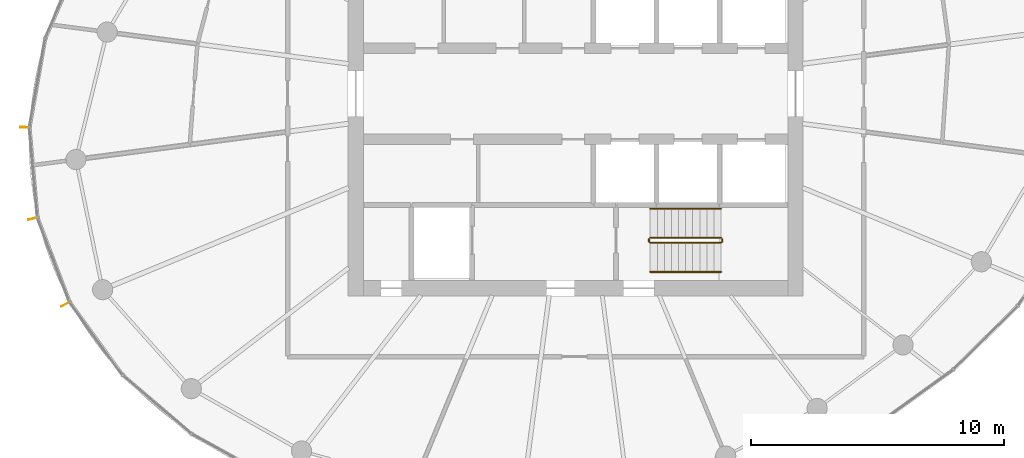
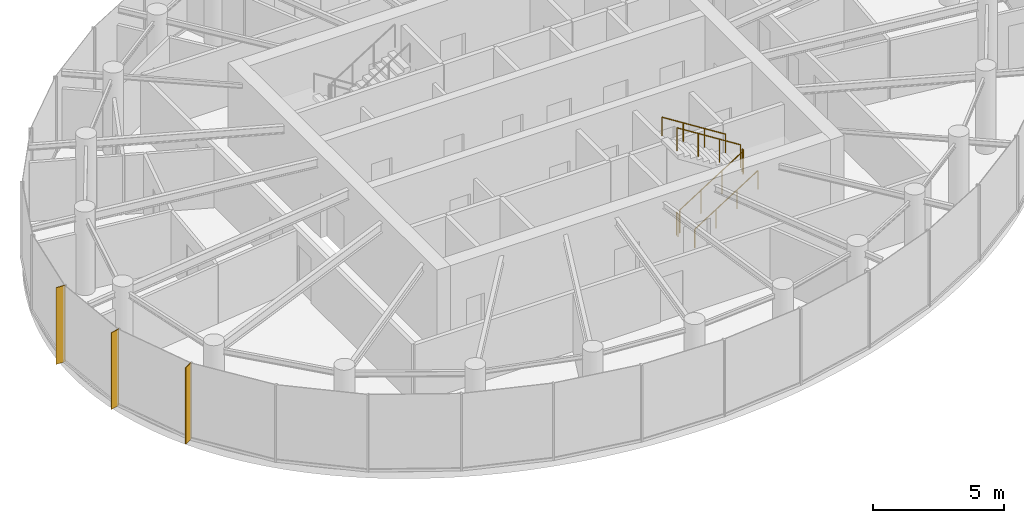
# One storey, part 12 of 13: 6 railings, 3 shading devices.
"""IFC4 building model written with IfcOpenShell, lengths in metres."""

from ifc_helpers import new_model, si_unit, direction, frame, origin, origin_2d, place, context, subcontext, project, spatial, rectangle, circle, extrude, source, transform, mapped, material, material_profile, profile_set, type_object, element, save


model = new_model("IFC4")

# Units and contexts
model_context = context("Model", 3, precision=1e-05, world=origin(), true_north=direction((0.0, 1.0)))
body_context = subcontext(model_context, "Body", "Model", "MODEL_VIEW")
ifc_project = project(units=[si_unit("LENGTHUNIT", "METRE"), si_unit("AREAUNIT", "SQUARE_METRE"), si_unit("VOLUMEUNIT", "CUBIC_METRE"), si_unit("PLANEANGLEUNIT", "RADIAN"), si_unit("MASSUNIT", "GRAM", prefix="KILO")], contexts=[model_context])

# Site, building, storey
site_placement = place(None, origin())
site = spatial("IfcSite", under=ifc_project, at=site_placement, CompositionType="ELEMENT")
building_placement = place(site_placement, origin())
building = spatial("IfcBuilding", under=site, at=building_placement, Name="Spindrift Exchange Tower", CompositionType="ELEMENT")
storey_placement = place(building_placement, frame((0.0, 0.0, 261.800048828125)))
storey = spatial("IfcBuildingStorey", under=building, at=storey_placement, Name="L64", CompositionType="ELEMENT", Elevation=261.800048828125)

# Railings
ifc_material_1 = material(Name="Steel balustrade", Category="steel")
railing_type_1 = type_object("IfcRailingType", Name="RL-STAIR-GUARD", PredefinedType="GUARDRAIL", material=ifc_material_1)
railing_1_placement = place(storey_placement, frame((54.949951171875, 42.10009765625, 0.17724609375)))
element("IfcRailing", 1, at=railing_1_placement, inside=storey, type_object=railing_type_1, Name="L64 ST2 stair guard 1", PredefinedType="GUARDRAIL", context=body_context, shape_type="SweptSolid", body=[
    extrude(circle(Radius=0.02392578125, at=origin_2d()), frame((0.0, 0.0, 1.076171875), z_axis=(0.844908973607, 0.0, 0.534910110503), x_axis=(0.0, 1.0, 0.0)), (0.0, 0.0, 1.0), 3.31396484375),
    extrude(circle(Radius=0.02099609375, at=origin_2d()), origin(), (0.0, 0.0, 1.0), 1.052001953125),
    extrude(circle(Radius=0.02099609375, at=origin_2d()), frame((0.933349609375, 0.0, 0.5908203125)), (0.0, 0.0, 1.0), 1.052001953125),
    extrude(circle(Radius=0.02099609375, at=origin_2d()), frame((1.86669921875, 0.0, 1.181884765625)), (0.0, 0.0, 1.0), 1.052001953125),
    extrude(circle(Radius=0.02099609375, at=origin_2d()), frame((2.800048828125, 0.0, 1.772705078125)), (0.0, 0.0, 1.0), 1.052001953125),
])
railing_2_placement = place(storey_placement, frame((57.800048828125, 42.14990234375, 1.949951171875)))
element("IfcRailing", 2, at=railing_2_placement, inside=storey, type_object=railing_type_1, Name="L64 ST2 stair guard 2", PredefinedType="GUARDRAIL", context=body_context, shape_type="SweptSolid", body=[
    extrude(circle(Radius=0.02392578125, at=origin_2d()), frame((0.0, 0.0, 1.076171875), z_axis=(0.0, 1.0, 0.0), x_axis=(-1.0, 0.0, 0.0)), (0.0, 0.0, 1.0), 0.10009765625),
    extrude(circle(Radius=0.02099609375, at=origin_2d()), origin(), (0.0, 0.0, 1.0), 1.052001953125),
    extrude(circle(Radius=0.02099609375, at=origin_2d()), frame((0.0, 0.10009765625, 0.0)), (0.0, 0.0, 1.0), 1.052001953125),
])
railing_3_placement = place(storey_placement, frame((57.75, 42.300048828125, 2.127197265625)))
element("IfcRailing", 3, at=railing_3_placement, inside=storey, type_object=railing_type_1, Name="L64 ST2 stair guard 3", PredefinedType="GUARDRAIL", context=body_context, shape_type="SweptSolid", body=[
    extrude(circle(Radius=0.02392578125, at=origin_2d()), frame((0.0, 0.0, 1.076171875), z_axis=(-0.844908973607, 0.0, 0.534910110503), x_axis=(0.0, -1.0, 0.0)), (0.0, 0.0, 1.0), 3.31396484375),
    extrude(circle(Radius=0.02099609375, at=origin_2d()), origin(), (0.0, 0.0, 1.0), 1.052001953125),
    extrude(circle(Radius=0.02099609375, at=origin_2d()), frame((-0.933349609375, 0.0, 0.5908203125)), (0.0, 0.0, 1.0), 1.052001953125),
    extrude(circle(Radius=0.02099609375, at=origin_2d()), frame((-1.86669921875, 0.0, 1.181884765625)), (0.0, 0.0, 1.0), 1.052001953125),
    extrude(circle(Radius=0.02099609375, at=origin_2d()), frame((-2.800048828125, 0.0, 1.772705078125)), (0.0, 0.0, 1.0), 1.052001953125),
])
railing_4_placement = place(storey_placement, frame((54.89990234375, 42.14990234375, 0.0)))
element("IfcRailing", 4, at=railing_4_placement, inside=storey, type_object=railing_type_1, Name="L64 ST2 stair guard 4", PredefinedType="GUARDRAIL", context=body_context, shape_type="SweptSolid", body=[
    extrude(circle(Radius=0.02392578125, at=origin_2d()), frame((0.0, 0.0, 1.076171875), z_axis=(0.0, 1.0, 0.0), x_axis=(-1.0, 0.0, 0.0)), (0.0, 0.0, 1.0), 0.10009765625),
    extrude(circle(Radius=0.02099609375, at=origin_2d()), origin(), (0.0, 0.0, 1.0), 1.052001953125),
    extrude(circle(Radius=0.02099609375, at=origin_2d()), frame((0.0, 0.10009765625, 0.0)), (0.0, 0.0, 1.0), 1.052001953125),
])
ifc_material_2 = material(Name="Steel tubular handrail", Category="steel")
railing_type_2 = type_object("IfcRailingType", Name="RL-STAIR-HAND", PredefinedType="HANDRAIL", material=ifc_material_2)
railing_5_placement = place(storey_placement, frame((54.949951171875, 40.949951171875, 0.17724609375)))
element("IfcRailing", 5, at=railing_5_placement, inside=storey, type_object=railing_type_2, Name="L64 ST2 stair handrail 1", PredefinedType="HANDRAIL", context=body_context, shape_type="SweptSolid", body=[
    extrude(circle(Radius=0.02392578125, at=origin_2d()), frame((0.0, 0.0, 0.8759765625), z_axis=(0.844908973607, 0.0, 0.534910110503), x_axis=(0.0, 1.0, 0.0)), (0.0, 0.0, 1.0), 3.31396484375),
    extrude(circle(Radius=0.02099609375, at=origin_2d()), origin(), (0.0, 0.0, 1.0), 0.851806640625),
    extrude(circle(Radius=0.02099609375, at=origin_2d()), frame((0.933349609375, 0.0, 0.5908203125)), (0.0, 0.0, 1.0), 0.851806640625),
    extrude(circle(Radius=0.02099609375, at=origin_2d()), frame((1.86669921875, 0.0, 1.181884765625)), (0.0, 0.0, 1.0), 0.851806640625),
    extrude(circle(Radius=0.02099609375, at=origin_2d()), frame((2.800048828125, 0.0, 1.772705078125)), (0.0, 0.0, 1.0), 0.851806640625),
])
railing_6_placement = place(storey_placement, frame((57.75, 43.449951171875, 2.127197265625)))
element("IfcRailing", 6, at=railing_6_placement, inside=storey, type_object=railing_type_2, Name="L64 ST2 stair handrail 2", PredefinedType="HANDRAIL", context=body_context, shape_type="SweptSolid", body=[
    extrude(circle(Radius=0.02392578125, at=origin_2d()), frame((0.0, 0.0, 0.8759765625), z_axis=(-0.844908973607, 0.0, 0.534910110503), x_axis=(0.0, -1.0, 0.0)), (0.0, 0.0, 1.0), 3.31396484375),
    extrude(circle(Radius=0.02099609375, at=origin_2d()), origin(), (0.0, 0.0, 1.0), 0.851806640625),
    extrude(circle(Radius=0.02099609375, at=origin_2d()), frame((-0.933349609375, 0.0, 0.5908203125)), (0.0, 0.0, 1.0), 0.851806640625),
    extrude(circle(Radius=0.02099609375, at=origin_2d()), frame((-1.86669921875, 0.0, 1.181884765625)), (0.0, 0.0, 1.0), 0.851806640625),
    extrude(circle(Radius=0.02099609375, at=origin_2d()), frame((-2.800048828125, 0.0, 1.772705078125)), (0.0, 0.0, 1.0), 0.851806640625),
])

# Shading devices
ifc_material_3 = material(Name="Bronze anodised aluminium", Category="aluminium")
ifc_material_profile = material_profile(ifc_material_3, rectangle(XDim=0.030029296875, YDim=0.39990234375, at=origin_2d()), Name="WIND FIN 30X400")
ifc_profile_set = profile_set([ifc_material_profile], Name="Bronze anodised aluminium")
shading_device_type = type_object("IfcShadingDeviceType", Name="WIND FIN 30X400", PredefinedType="USERDEFINED", material=ifc_profile_set)
shared_shape = source(origin(), body_context, "Body", "SweptSolid", [
    extrude(rectangle(XDim=0.030029296875, YDim=0.39990234375, at=origin_2d()), origin(), (0.0, 0.0, 1.0), 3.579833984375),
])
for number, where, z_axis, x_axis, name in (
    (7, (30.211181640625, 46.67041015625, 0.0), (0.0, 0.0, 1.0), (-0.043406658872, -0.999057486817, 0.0), "L64 wind fin 1"),
    (8, (30.53125, 43.061279296875, 0.0), (0.0, 0.0, 1.0), (0.224184015678, -0.974546831668, 0.0), "L64 wind fin 2"),
    (9, (31.8203125, 39.675048828125, 0.0), (0.0, 0.0, 1.0), (0.475591967947, -0.879666004814, 0.0), "L64 wind fin 3"),
):
    element("IfcShadingDevice", number, at=place(storey_placement, frame(where, z_axis=z_axis, x_axis=x_axis)), inside=storey, type_object=shading_device_type, Name=name, ObjectType="FIN", PredefinedType="USERDEFINED", context=body_context, shape_type="MappedRepresentation", body=[
        mapped(shared_shape, transform((0.0, 0.0, 0.0), scale=1.0)),
    ])

save(model, "model.ifc")
